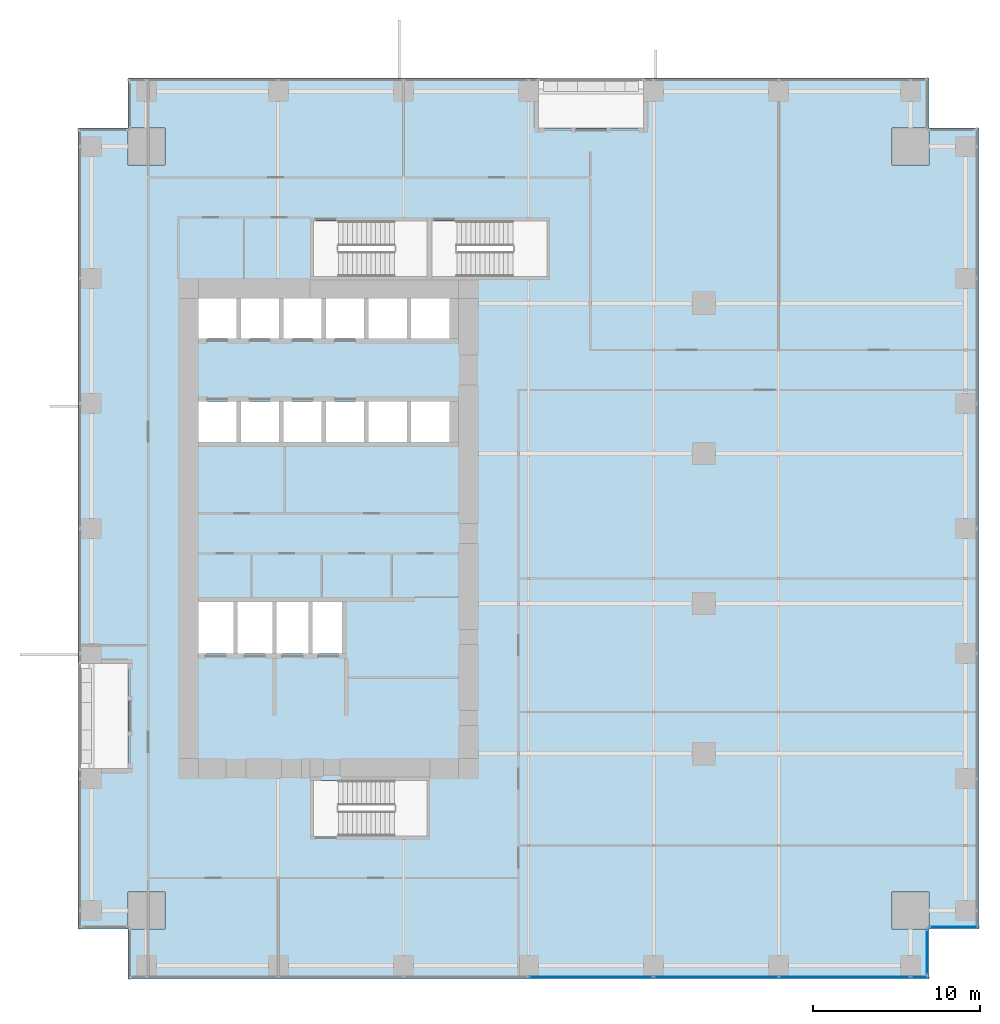
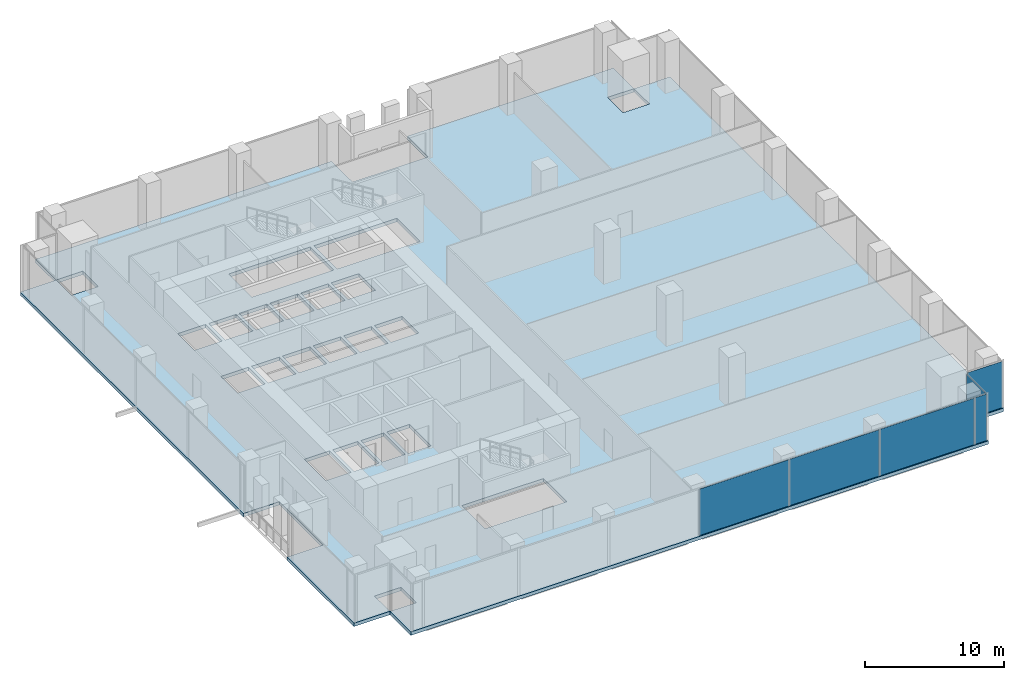
# One storey, part 23 of 33: 6 plates, 1 slab, 3 elements without a shape of their own.
"""IFC4 building model written with IfcOpenShell, lengths in metres."""

from ifc_helpers import new_model, si_unit, direction, frame, origin, origin_2d, place, context, subcontext, project, spatial, polyline, rectangle, outline, extrude, source, transform, mapped, material, layer, layer_set, type_object, element, aggregate, save


model = new_model("IFC4")

# Units and contexts
model_context = context("Model", 3, precision=1e-05, world=origin(), true_north=direction((0.0, 1.0)))
body_context = subcontext(model_context, "Body", "Model", "MODEL_VIEW")
ifc_project = project(units=[si_unit("LENGTHUNIT", "METRE"), si_unit("AREAUNIT", "SQUARE_METRE"), si_unit("VOLUMEUNIT", "CUBIC_METRE"), si_unit("PLANEANGLEUNIT", "RADIAN"), si_unit("MASSUNIT", "GRAM", prefix="KILO")], contexts=[model_context])

# Site, building, storey
site_placement = place(None, origin())
site = spatial("IfcSite", under=ifc_project, at=site_placement, CompositionType="ELEMENT")
building_placement = place(site_placement, origin())
building = spatial("IfcBuilding", under=site, at=building_placement, Name="Khomas Fold Tower", CompositionType="ELEMENT")
storey_placement = place(building_placement, frame((0.0, 0.0, 91.5)))
storey = spatial("IfcBuildingStorey", under=building, at=storey_placement, Name="L19", CompositionType="ELEMENT", Elevation=91.5)

# Slab
ifc_material_1 = material(Name="Concrete C40/50", Category="concrete")
ifc_layer_1 = layer(ifc_material_1, 0.300048828125)
ifc_layer_set_1 = layer_set([ifc_layer_1], Name="Concrete C40/50")
slab_type = type_object("IfcSlabType", Name="RC floor slab 300", PredefinedType="FLOOR", material=ifc_layer_set_1)
shared_shape_1 = source(origin(), body_context, "Body", "SweptSolid", [
    extrude(outline(polyline([(0.0, 3.0), (2.9951171875, 3.0), (2.9951171875, 5.205078125), (5.205078125, 5.205078125), (5.205078125, 2.9951171875), (3.0, 2.9951171875), (3.0, 0.0), (51.0, 0.0), (51.0, 2.9951171875), (48.794921875, 2.9951171875), (48.794921875, 5.205078125), (51.0048828125, 5.205078125), (51.0048828125, 3.0), (54.0, 3.0), (54.0, 51.0), (51.0048828125, 51.0), (51.0048828125, 48.794921875), (48.794921875, 48.794921875), (48.794921875, 51.0048828125), (51.0, 51.0048828125), (51.0, 54.0), (33.89990234375, 54.0), (33.89990234375, 51.0), (27.60009765625, 51.0), (27.60009765625, 54.0), (3.0, 54.0), (3.0, 51.0048828125), (5.205078125, 51.0048828125), (5.205078125, 48.794921875), (2.9951171875, 48.794921875), (2.9951171875, 51.0), (0.0, 51.0), (0.0, 18.89990234375), (3.0, 18.89990234375), (3.0, 12.60009765625), (0.0, 12.60009765625), (0.0, 3.0)]), holes=[polyline([(7.199951171875, 19.5), (7.199951171875, 22.60009765625), (9.300048828125, 22.60009765625), (9.300048828125, 19.5), (7.199951171875, 19.5)]), polyline([(7.199951171875, 32.199951171875), (7.199951171875, 34.60009765625), (9.5, 34.60009765625), (9.5, 32.199951171875), (7.199951171875, 32.199951171875)]), polyline([(7.199951171875, 38.39990234375), (7.199951171875, 40.800048828125), (9.5, 40.800048828125), (9.5, 38.39990234375), (7.199951171875, 38.39990234375)]), polyline([(9.550048828125, 19.5), (9.550048828125, 22.60009765625), (11.64990234375, 22.60009765625), (11.64990234375, 19.5), (9.550048828125, 19.5)]), polyline([(9.75, 32.199951171875), (9.75, 34.60009765625), (12.050048828125, 34.60009765625), (12.050048828125, 32.199951171875), (9.75, 32.199951171875)]), polyline([(9.75, 38.39990234375), (9.75, 40.800048828125), (12.050048828125, 40.800048828125), (12.050048828125, 38.39990234375), (9.75, 38.39990234375)]), polyline([(11.89990234375, 19.5), (11.89990234375, 22.60009765625), (13.800048828125, 22.60009765625), (13.800048828125, 19.5), (11.89990234375, 19.5)]), polyline([(12.300048828125, 32.199951171875), (12.300048828125, 34.60009765625), (14.60009765625, 34.60009765625), (14.60009765625, 32.199951171875), (12.300048828125, 32.199951171875)]), polyline([(12.300048828125, 38.39990234375), (12.300048828125, 40.800048828125), (14.60009765625, 40.800048828125), (14.60009765625, 38.39990234375), (12.300048828125, 38.39990234375)]), polyline([(14.050048828125, 19.5), (14.050048828125, 22.60009765625), (15.949951171875, 22.60009765625), (15.949951171875, 19.5), (14.050048828125, 19.5)]), polyline([(14.10009765625, 8.550048828125), (14.10009765625, 11.89990234375), (20.89990234375, 11.89990234375), (20.89990234375, 8.550048828125), (14.10009765625, 8.550048828125)]), polyline([(14.10009765625, 42.10009765625), (14.10009765625, 45.449951171875), (20.89990234375, 45.449951171875), (20.89990234375, 42.10009765625), (14.10009765625, 42.10009765625)]), polyline([(14.85009765625, 32.199951171875), (14.85009765625, 34.60009765625), (17.14990234375, 34.60009765625), (17.14990234375, 32.199951171875), (14.85009765625, 32.199951171875)]), polyline([(14.85009765625, 38.39990234375), (14.85009765625, 40.800048828125), (17.14990234375, 40.800048828125), (17.14990234375, 38.39990234375), (14.85009765625, 38.39990234375)]), polyline([(17.39990234375, 32.199951171875), (17.39990234375, 34.60009765625), (19.699951171875, 34.60009765625), (19.699951171875, 32.199951171875), (17.39990234375, 32.199951171875)]), polyline([(17.39990234375, 38.39990234375), (17.39990234375, 40.800048828125), (19.699951171875, 40.800048828125), (19.699951171875, 38.39990234375), (17.39990234375, 38.39990234375)]), polyline([(19.949951171875, 32.199951171875), (19.949951171875, 34.60009765625), (22.25, 34.60009765625), (22.25, 32.199951171875), (19.949951171875, 32.199951171875)]), polyline([(19.949951171875, 38.39990234375), (19.949951171875, 40.800048828125), (22.25, 40.800048828125), (22.25, 38.39990234375), (19.949951171875, 38.39990234375)]), polyline([(21.199951171875, 42.10009765625), (21.199951171875, 45.449951171875), (28.10009765625, 45.449951171875), (28.10009765625, 42.10009765625), (21.199951171875, 42.10009765625)])]), origin(), (0.0, 0.0, 1.0), 0.300048828125),
])
slab_placement = place(storey_placement, frame((0.0, 0.0, -0.300048828125)))
element("IfcSlab", 1, at=slab_placement, inside=storey, type_object=slab_type, Name="S-L19", PredefinedType="FLOOR", context=body_context, shape_type="MappedRepresentation", body=[
    mapped(shared_shape_1, transform((0.0, 0.0, 0.0))),
])

# Curtain wall, plates
ifc_material_2 = material(Name="Aluminium framed double glazing", Category="aluminium")
curtain_wall_type = type_object("IfcCurtainWallType", Name="SK-Unitised clear-glass wall, growing floors CW1", PredefinedType="NOTDEFINED", material=ifc_material_2)
curtain_wall_1_placement = place(storey_placement, origin())
curtain_wall_1 = element("IfcCurtainWall", 2, at=curtain_wall_1_placement, inside=storey, type_object=curtain_wall_type, Name="CW1 run L19 00-0", PredefinedType="NOTDEFINED")
ifc_material_3 = material(Name="Clear double glazed unit")
ifc_layer_2 = layer(ifc_material_3, 0.031982421875)
ifc_layer_set_2 = layer_set([ifc_layer_2], Name="Clear double glazed unit")
plate_type = type_object("IfcPlateType", Name="SK-Unitised clear-glass wall, growing floors glass panel CW1-P", PredefinedType="CURTAIN_PANEL", material=ifc_layer_set_2)
shared_shape_2 = source(origin(), body_context, "Body", "SweptSolid", [
    extrude(rectangle(XDim=7.840087890625, YDim=0.031982421875, at=origin_2d()), origin(), (0.0, 0.0, 1.0), 4.080078125),
])
plate_1_placement = place(storey_placement, frame((45.949951171875, 0.10009765625, 0.0), z_axis=(0.0, 0.0, 1.0), x_axis=(1.0, 0.0, 0.0)))
plate_1 = element("IfcPlate", 3, at=plate_1_placement, type_object=plate_type, Name="CW1 glass panel 7", PredefinedType="CURTAIN_PANEL", context=body_context, shape_type="MappedRepresentation", body=[
    mapped(shared_shape_2, transform((0.0, 0.0, 0.0))),
])
shared_shape_3 = source(origin(), body_context, "Body", "SweptSolid", [
    extrude(rectangle(XDim=7.43994140625, YDim=0.031982421875, at=origin_2d()), origin(), (0.0, 0.0, 1.0), 4.080078125),
])
plate_2_placement = place(storey_placement, frame((30.75, 0.10009765625, 0.0), z_axis=(0.0, 0.0, 1.0), x_axis=(1.0, 0.0, 0.0)))
plate_2 = element("IfcPlate", 4, at=plate_2_placement, type_object=plate_type, Name="CW1 glass panel 5", PredefinedType="CURTAIN_PANEL", context=body_context, shape_type="MappedRepresentation", body=[
    mapped(shared_shape_3, transform((0.0, 0.0, 0.0))),
])
plate_3_placement = place(storey_placement, frame((38.25, 0.10009765625, 0.0), z_axis=(0.0, 0.0, 1.0), x_axis=(1.0, 0.0, 0.0)))
plate_3 = element("IfcPlate", 5, at=plate_3_placement, type_object=plate_type, Name="CW1 glass panel 6", PredefinedType="CURTAIN_PANEL", context=body_context, shape_type="MappedRepresentation", body=[
    mapped(shared_shape_3, transform((0.0, 0.0, 0.0))),
])
shared_shape_4 = source(origin(), body_context, "Body", "SweptSolid", [
    extrude(rectangle(XDim=1.010009765625, YDim=0.031982421875, at=origin_2d()), origin(), (0.0, 0.0, 1.0), 4.080078125),
])
plate_4_placement = place(storey_placement, frame((50.43505859375, 0.10009765625, 0.0), z_axis=(0.0, 0.0, 1.0), x_axis=(1.0, 0.0, 0.0)))
plate_4 = element("IfcPlate", 6, at=plate_4_placement, type_object=plate_type, Name="CW1 glass panel 8", PredefinedType="CURTAIN_PANEL", context=body_context, shape_type="MappedRepresentation", body=[
    mapped(shared_shape_4, transform((0.0, 0.0, 0.0))),
])
aggregate(curtain_wall_1, [plate_2, plate_3, plate_1, plate_4])

# Curtain wall, plate
curtain_wall_2_placement = place(storey_placement, origin())
curtain_wall_2 = element("IfcCurtainWall", 7, at=curtain_wall_2_placement, inside=storey, type_object=curtain_wall_type, Name="CW1 corner return L19 01", PredefinedType="NOTDEFINED")
shared_shape_5 = source(origin(), body_context, "Body", "SweptSolid", [
    extrude(rectangle(XDim=2.679931640625, YDim=0.031982421875, at=origin_2d()), origin(), (0.0, 0.0, 1.0), 4.080078125),
])
plate_5_placement = place(storey_placement, frame((50.89990234375, 1.60009765625, 0.0), z_axis=(0.0, 0.0, 1.0), x_axis=(0.0, 1.0, 0.0)))
plate_5 = element("IfcPlate", 8, at=plate_5_placement, type_object=plate_type, Name="CW1 glass panel 1", PredefinedType="CURTAIN_PANEL", context=body_context, shape_type="MappedRepresentation", body=[
    mapped(shared_shape_5, transform((0.0, 0.0, 0.0))),
])
aggregate(curtain_wall_2, [plate_5])

curtain_wall_3_placement = place(storey_placement, origin())
curtain_wall_3 = element("IfcCurtainWall", 9, at=curtain_wall_3_placement, inside=storey, type_object=curtain_wall_type, Name="CW1 corner return L19 02", PredefinedType="NOTDEFINED")
shared_shape_6 = source(origin(), body_context, "Body", "SweptSolid", [
    extrude(rectangle(XDim=2.8798828125, YDim=0.031982421875, at=origin_2d()), origin(), (0.0, 0.0, 1.0), 4.080078125),
])
plate_6_placement = place(storey_placement, frame((52.5, 3.10009765625, 0.0), z_axis=(0.0, 0.0, 1.0), x_axis=(1.0, 0.0, 0.0)))
plate_6 = element("IfcPlate", 10, at=plate_6_placement, type_object=plate_type, Name="CW1 glass panel 1", PredefinedType="CURTAIN_PANEL", context=body_context, shape_type="MappedRepresentation", body=[
    mapped(shared_shape_6, transform((0.0, 0.0, 0.0))),
])
aggregate(curtain_wall_3, [plate_6])

save(model, "model.ifc")
